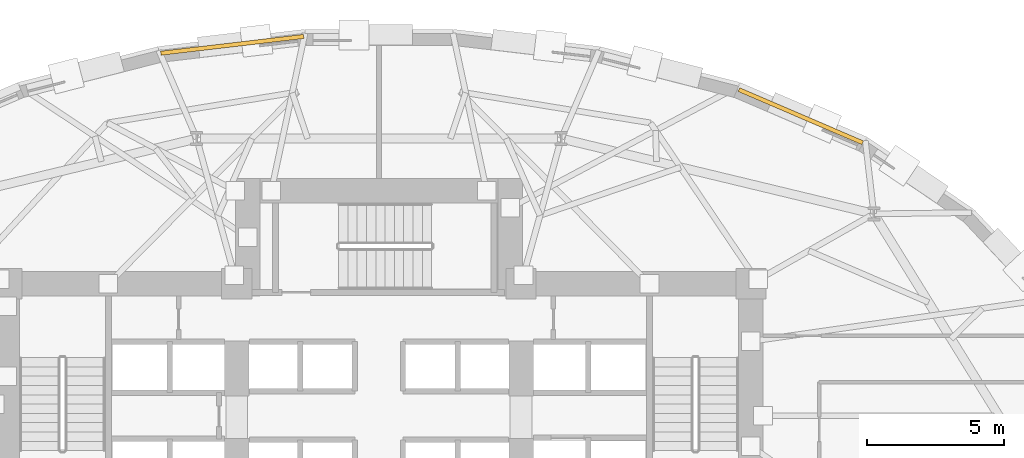
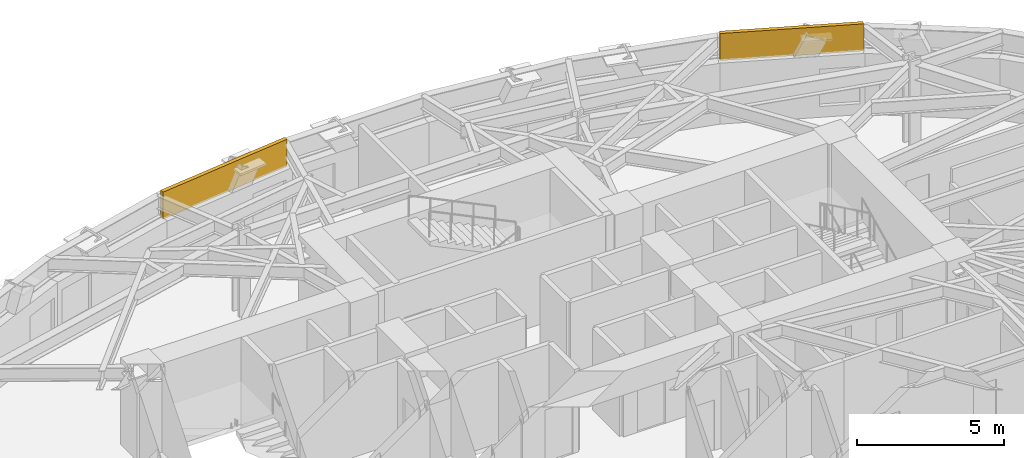
# One storey, part 14 of 14: 2 coverings.
"""IFC4 building model written with IfcOpenShell, lengths in metres."""

from ifc_helpers import new_model, si_unit, direction, frame, origin, origin_2d, place, context, subcontext, project, spatial, rectangle, extrude, material, layer, layer_set, type_object, element, save


model = new_model("IFC4")

# Units and contexts
model_context = context("Model", 3, precision=1e-05, world=origin(), true_north=direction((0.0, 1.0)))
body_context = subcontext(model_context, "Body", "Model", "MODEL_VIEW")
ifc_project = project(units=[si_unit("LENGTHUNIT", "METRE"), si_unit("AREAUNIT", "SQUARE_METRE"), si_unit("VOLUMEUNIT", "CUBIC_METRE"), si_unit("PLANEANGLEUNIT", "RADIAN"), si_unit("MASSUNIT", "GRAM", prefix="KILO")], contexts=[model_context])

# Site, building, storey
site_placement = place(None, origin())
site = spatial("IfcSite", under=ifc_project, at=site_placement, CompositionType="ELEMENT")
building_placement = place(site_placement, origin())
building = spatial("IfcBuilding", under=site, at=building_placement, Name="Keldmark Tower", CompositionType="ELEMENT")
storey_placement = place(building_placement, frame((0.0, 0.0, 41.39990234375)))
storey = spatial("IfcBuildingStorey", under=building, at=storey_placement, Name="L10", CompositionType="ELEMENT", Elevation=41.39990234375)

# Coverings
ifc_material = material(Name="Honed Kasota Buff Dolomitic Limestone", Category="masonry")
ifc_layer = layer(ifc_material, 0.074951171875)
ifc_layer_set = layer_set([ifc_layer], Name="Honed Kasota Buff Dolomitic Limestone")
covering_type = type_object("IfcCoveringType", Name="Kasota Buff Limestone Spandrel Cladding Band", PredefinedType="CLADDING", material=ifc_layer_set)
covering_1_placement = place(storey_placement, frame((15.426513671875, 15.5791015625, 2.453125), z_axis=(0.0, 0.0, 1.0), x_axis=(-0.91888763684, 0.394519341558, 0.0)))
element("IfcCovering", 1, at=covering_1_placement, inside=storey, type_object=covering_type, Name="L10 Kasota Limestone Spandrel Band 05", PredefinedType="CLADDING", context=body_context, shape_type="SweptSolid", body=[
    extrude(rectangle(XDim=4.922119140625, YDim=0.14990234375, at=origin_2d()), origin(), (0.0, 0.0, 1.0), 1.126953125),
])
covering_2_placement = place(storey_placement, frame((-5.36474609375, 18.1875, 2.453125), z_axis=(0.0, 0.0, 1.0), x_axis=(-0.993158426362, -0.116774741047, 0.0)))
element("IfcCovering", 2, at=covering_2_placement, inside=storey, type_object=covering_type, Name="L10 Kasota Limestone Spandrel Band 09", PredefinedType="CLADDING", context=body_context, shape_type="SweptSolid", body=[
    extrude(rectangle(XDim=5.261962890625, YDim=0.14990234375, at=origin_2d()), origin(), (0.0, 0.0, 1.0), 1.126953125),
])

save(model, "model.ifc")
